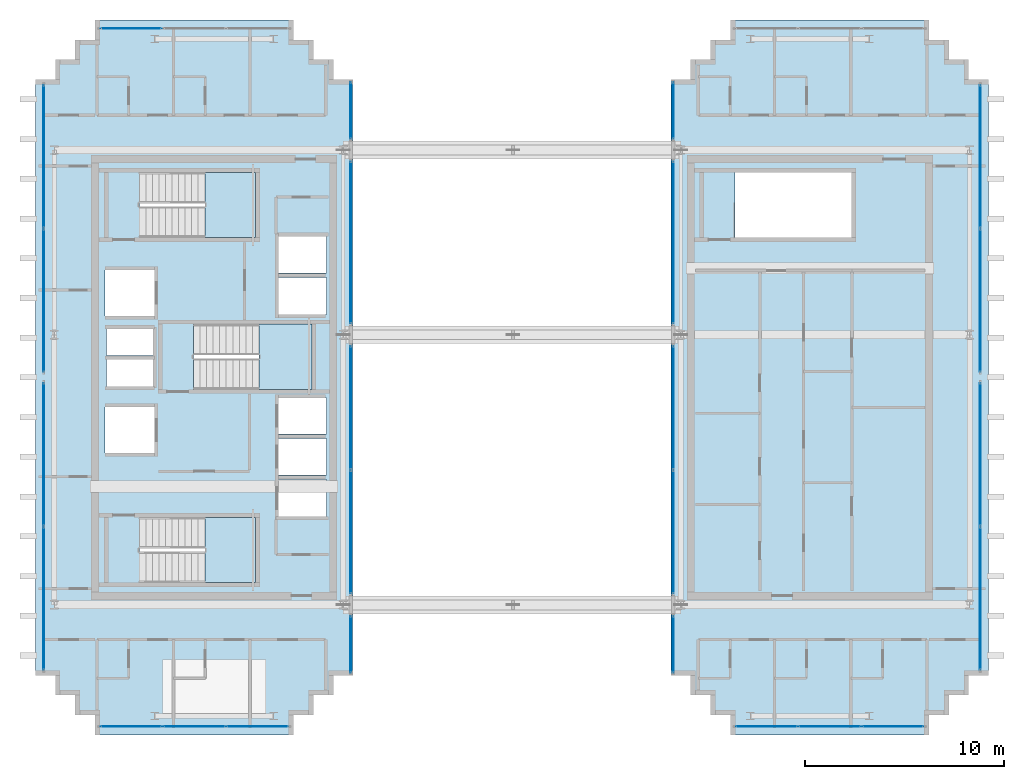
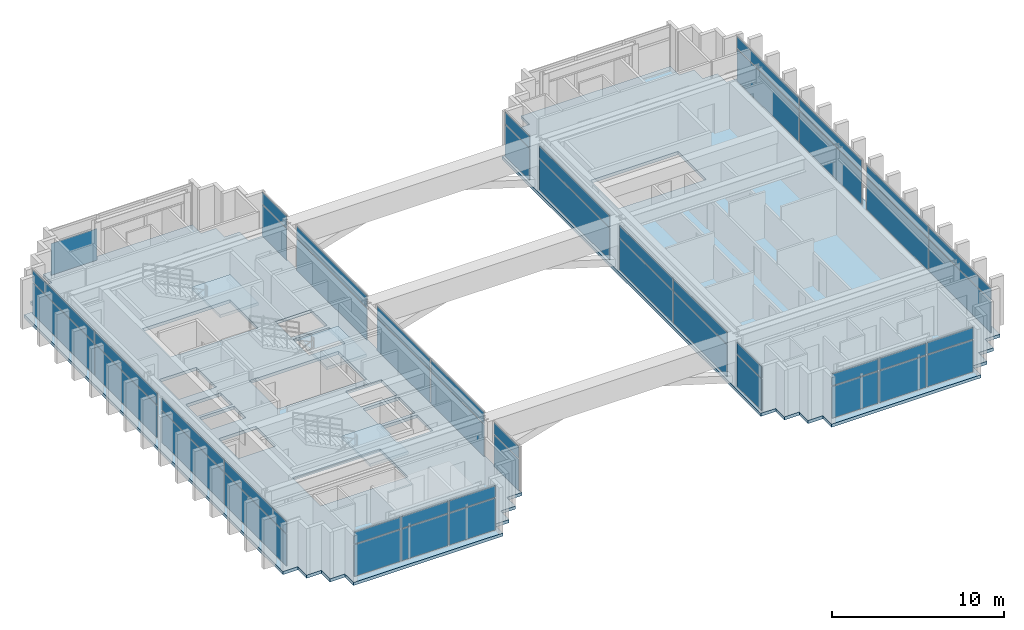
# One storey, part 21 of 28: 49 plates, 5 slabs, 18 elements without a shape of their own.
"""IFC4 building model written with IfcOpenShell, lengths in metres."""

import ifcopenshell
import ifcopenshell.guid

model = None  # the IFC model being written
_history = None  # IfcOwnerHistory: only IFC2X3 demands one
_inside = {}  # id of a spatial element -> (the spatial element, [elements in it])
_under = {}  # id of a project, library or spatial element -> (it, [spatial elements below it])
_declared = {}  # id of a project -> (the project, [libraries it declares])
_typed = {}  # id of a type object -> (the type object, [elements of that type])
_made_of = {}  # id of a material, layer set ... -> (it, [elements and type objects made of it])


def new_model(schema):
    """Start an empty IFC model of exactly this schema.

    Asked for "IFC4X3", IfcOpenShell would pick the latest addendum, in which some entities
    have other attributes; the version numbers below select the first issue.
    IFC2X3 requires an IfcOwnerHistory on every rooted entity: one is made here for all.
    """
    global model, _history
    if schema == "IFC4X3":
        model = ifcopenshell.file(schema_version=(4, 3, 0, 0))
    else:
        model = ifcopenshell.file(schema=schema)
    _inside.clear()
    _under.clear()
    _declared.clear()
    _typed.clear()
    _made_of.clear()
    _history = None
    if model.schema == "IFC2X3":
        org = make("IfcOrganization", Name="unknown")
        user = make(
            "IfcPersonAndOrganization",
            ThePerson=make("IfcPerson", FamilyName="unknown"),
            TheOrganization=org,
        )
        app = make(
            "IfcApplication",
            ApplicationDeveloper=org,
            Version="unknown",
            ApplicationFullName="unknown",
            ApplicationIdentifier="unknown",
        )
        _history = make(
            "IfcOwnerHistory",
            OwningUser=user,
            OwningApplication=app,
            ChangeAction="ADDED",
            CreationDate=0,
        )
    return model


def make(cls, **values):
    """One entity of the class cls with the attributes given. An attribute that is None is left unset."""
    return model.create_entity(
        cls, **{name: value for name, value in values.items() if value is not None}
    )


def rooted(cls, **values):
    """An entity with a GlobalId (a new one), such as an element, a storey or a relation."""
    return make(cls, GlobalId=ifcopenshell.guid.new(), OwnerHistory=_history, **values)


def si_unit(unit_type, name, prefix=None):
    """IfcSIUnit, for example si_unit("LENGTHUNIT", "METRE", prefix="MILLI")."""
    return make("IfcSIUnit", UnitType=unit_type, Prefix=prefix, Name=name)


def assignment(units):
    """IfcUnitAssignment: the units of a project."""
    return None if units is None else make("IfcUnitAssignment", Units=units)


def point(xyz):
    """IfcCartesianPoint."""
    return None if xyz is None else make("IfcCartesianPoint", Coordinates=xyz)


def direction(xyz):
    """IfcDirection."""
    return None if xyz is None else make("IfcDirection", DirectionRatios=xyz)


def frame(location, z_axis=None, x_axis=None):
    """IfcAxis2Placement3D, a coordinate frame: its origin and axes. An axis left out is left unset."""
    return make(
        "IfcAxis2Placement3D",
        Location=point(location),
        Axis=direction(z_axis),
        RefDirection=direction(x_axis),
    )


def frame_2d(location, x_axis=None):
    """IfcAxis2Placement2D, a coordinate frame in the plane: its origin and x axis."""
    return make(
        "IfcAxis2Placement2D", Location=point(location), RefDirection=direction(x_axis)
    )


def origin():
    """The frame at (0, 0, 0) with its axes left unset."""
    return frame((0.0, 0.0, 0.0))


def origin_2d():
    """The frame at (0, 0) in the plane with its x axis left unset."""
    return frame_2d((0.0, 0.0))


def place(relative_to, where):
    """IfcLocalPlacement: puts the frame where relative to a parent placement (None: the world)."""
    return make(
        "IfcLocalPlacement", PlacementRelTo=relative_to, RelativePlacement=where
    )


def context(
    kind, dimensions, precision=None, world=None, true_north=None, identifier=None
):
    """IfcGeometricRepresentationContext, for example the 3D "Model" context."""
    return make(
        "IfcGeometricRepresentationContext",
        ContextIdentifier=identifier,
        ContextType=kind,
        CoordinateSpaceDimension=dimensions,
        Precision=precision,
        WorldCoordinateSystem=world,
        TrueNorth=true_north,
    )


def subcontext(parent, identifier, kind, view, scale=None):
    """IfcGeometricRepresentationSubContext, for example "Body" below "Model"."""
    return make(
        "IfcGeometricRepresentationSubContext",
        ContextIdentifier=identifier,
        ContextType=kind,
        ParentContext=parent,
        TargetScale=scale,
        TargetView=view,
    )


def project(units=None, contexts=None):
    """IfcProject with its units and contexts."""
    return rooted(
        "IfcProject",
        Name="project",
        RepresentationContexts=contexts,
        UnitsInContext=assignment(units),
    )


def spatial(cls, under=None, at=None, **own):
    """A site, building, storey or space (cls), placed at a placement, below another one or the project."""
    s = rooted(cls, ObjectPlacement=at, **own)
    if under is not None:
        _under.setdefault(under.id(), (under, []))[1].append(s)
    return s


def polyline(points):
    """IfcPolyline through the points."""
    return make("IfcPolyline", Points=[point(p) for p in points])


def profile(cls, at=None, kind="AREA", **sizes):
    """A parametric profile (cls). Its sizes go by their IFC names, for example OverallWidth=200.0."""
    return make(cls, ProfileType=kind, Position=at, **sizes)


def rectangle(**sizes):
    """IfcRectangleProfileDef."""
    return profile("IfcRectangleProfileDef", **sizes)


def outline(outer, holes=None, kind="AREA"):
    """IfcArbitraryClosedProfileDef: a profile drawn as a closed curve; with holes, ...WithVoids."""
    if holes is None:
        return make("IfcArbitraryClosedProfileDef", ProfileType=kind, OuterCurve=outer)
    return make(
        "IfcArbitraryProfileDefWithVoids",
        ProfileType=kind,
        OuterCurve=outer,
        InnerCurves=holes,
    )


def extrude(swept, where, along, depth):
    """IfcExtrudedAreaSolid: the profile swept, set in the frame where, extruded along a direction by depth."""
    return make(
        "IfcExtrudedAreaSolid",
        SweptArea=swept,
        Position=where,
        ExtrudedDirection=direction(along),
        Depth=depth,
    )


def shape(context_of_items, identifier, shape_type, items):
    """IfcShapeRepresentation: the items that make up one representation, for example the "Body"."""
    return make(
        "IfcShapeRepresentation",
        ContextOfItems=context_of_items,
        RepresentationIdentifier=identifier,
        RepresentationType=shape_type,
        Items=items,
    )


def source(mapping_origin, context_of_items, identifier, shape_type, items):
    """IfcRepresentationMap: a shape defined once, which mapped items show again and again."""
    return make(
        "IfcRepresentationMap",
        MappingOrigin=mapping_origin,
        MappedRepresentation=shape(context_of_items, identifier, shape_type, items),
    )


def transform(
    local_origin,
    x_axis=None,
    y_axis=None,
    z_axis=None,
    scale=None,
    scale2=None,
    scale3=None,
    uniform=True,
):
    """IfcCartesianTransformationOperator3D, or its non-uniform kind. x_axis, y_axis, z_axis: its Axis1, 2, 3."""
    if uniform:
        return make(
            "IfcCartesianTransformationOperator3D",
            Axis1=direction(x_axis),
            Axis2=direction(y_axis),
            LocalOrigin=point(local_origin),
            Scale=scale,
            Axis3=direction(z_axis),
        )
    return make(
        "IfcCartesianTransformationOperator3DnonUniform",
        Axis1=direction(x_axis),
        Axis2=direction(y_axis),
        LocalOrigin=point(local_origin),
        Scale=scale,
        Axis3=direction(z_axis),
        Scale2=scale2,
        Scale3=scale3,
    )


def mapped(mapping_source, mapping_target):
    """IfcMappedItem: shows the shape of a source again, moved by a transform."""
    return make(
        "IfcMappedItem", MappingSource=mapping_source, MappingTarget=mapping_target
    )


def material(Name=None, Category=None):
    """IfcMaterial."""
    return make("IfcMaterial", Name=Name, Category=Category)


def layer(
    of_material, thickness, ventilated=None, Name=None, Category=None, Priority=None
):
    """IfcMaterialLayer: one layer of a wall or slab, of a material (None: an air gap)."""
    return make(
        "IfcMaterialLayer",
        Material=of_material,
        LayerThickness=thickness,
        IsVentilated=ventilated,
        Name=Name,
        Category=Category,
        Priority=Priority,
    )


def layer_set(layers, Name=None):
    """IfcMaterialLayerSet."""
    return make("IfcMaterialLayerSet", MaterialLayers=layers, LayerSetName=Name)


def made_of(thing, what):
    """Note that an element or type object is made of a material, layer set ...; save() writes the relation."""
    if what is not None:
        _made_of.setdefault(what.id(), (what, []))[1].append(thing)
    return thing


def type_object(cls, material=None, **own):
    """A type object (cls), such as IfcWallType, which elements share."""
    return made_of(rooted(cls, **own), material)


def element(
    cls,
    number,
    at=None,
    inside=None,
    cuts=None,
    type_object=None,
    material=None,
    context=None,
    identifier="Body",
    shape_type=None,
    held_by="IfcProductDefinitionShape",
    body=None,
    shapes=None,
    **own,
):
    """One element of the class cls, such as IfcWall. Its Tag is "e" and its number.

    at: its placement. inside: the storey or other place that contains it. cuts: it is an
    opening in that element (IfcRelVoidsElement). A single representation is given by context,
    identifier, shape_type and body (its items); several are given by shapes. held_by: the class
    of the entity that holds the representations. save() writes the other relations.
    """
    e = rooted(cls, Tag="e%d" % number, ObjectPlacement=at, **own)
    if body is not None:
        shapes = [shape(context, identifier, shape_type, body)]
    if shapes is not None:
        e.Representation = make(held_by, Representations=shapes)
    if inside is not None:
        _inside.setdefault(inside.id(), (inside, []))[1].append(e)
    if cuts is not None:
        rooted(
            "IfcRelVoidsElement", RelatingBuildingElement=cuts, RelatedOpeningElement=e
        )
    if type_object is not None:
        _typed.setdefault(type_object.id(), (type_object, []))[1].append(e)
    return made_of(e, material)


def aggregate(whole, parts):
    """IfcRelAggregates: a whole, such as a stair, and the parts it consists of."""
    return rooted("IfcRelAggregates", RelatingObject=whole, RelatedObjects=parts)


def save(model, path):
    """Write the relations noted so far, then the file.

    IfcRelAggregates (storeys below a building ...), IfcRelContainedInSpatialStructure (elements
    in a storey), IfcRelDefinesByType, IfcRelAssociatesMaterial and IfcRelDeclares: one each for
    every whole, place, type object, material and project.
    """
    for whole, parts in _under.values():
        aggregate(whole, parts)
    for where, things in _inside.values():
        rooted(
            "IfcRelContainedInSpatialStructure",
            RelatedElements=things,
            RelatingStructure=where,
        )
    for kind, things in _typed.values():
        rooted("IfcRelDefinesByType", RelatedObjects=things, RelatingType=kind)
    for what, things in _made_of.values():
        rooted("IfcRelAssociatesMaterial", RelatedObjects=things, RelatingMaterial=what)
    for by, libraries in _declared.values():
        rooted("IfcRelDeclares", RelatingContext=by, RelatedDefinitions=libraries)
    model.write(path)


model = new_model("IFC4")

# Units and contexts
model_context = context("Model", 3, precision=1e-05, world=origin(), true_north=direction((0.0, 1.0)))
body_context = subcontext(model_context, "Body", "Model", "MODEL_VIEW")
ifc_project = project(units=[si_unit("LENGTHUNIT", "METRE"), si_unit("AREAUNIT", "SQUARE_METRE"), si_unit("VOLUMEUNIT", "CUBIC_METRE"), si_unit("PLANEANGLEUNIT", "RADIAN"), si_unit("MASSUNIT", "GRAM", prefix="KILO")], contexts=[model_context])

# Site, building, storey
site_placement = place(None, origin())
site = spatial("IfcSite", under=ifc_project, at=site_placement, CompositionType="ELEMENT")
building_placement = place(site_placement, origin())
building = spatial("IfcBuilding", under=site, at=building_placement, Name="Ocotamira Hotel", CompositionType="ELEMENT")
storey_placement = place(building_placement, frame((0.0, 0.0, 268.800048828125)))
storey = spatial("IfcBuildingStorey", under=building, at=storey_placement, Name="L68", CompositionType="ELEMENT", Elevation=268.800048828125)

# Stair, slab
ifc_material_1 = material(Name="Concrete C40/50", Category="concrete")
stair_type = type_object("IfcStairType", Name="ST-CORE-1560", PredefinedType="HALF_TURN_STAIR", material=ifc_material_1)
stair_1_placement = place(storey_placement, origin())
stair_1 = element("IfcStair", 1, at=stair_1_placement, inside=storey, type_object=stair_type, Name="L68 Exit Stair ST-1", PredefinedType="HALF_TURN_STAIR")
ifc_layer_1 = layer(ifc_material_1, 0.199951171875)
ifc_layer_set_1 = layer_set([ifc_layer_1], Name="Concrete C40/50")
slab_type_1 = type_object("IfcSlabType", Name="SLB-LAND-200", PredefinedType="LANDING", material=ifc_layer_set_1)
slab_1_placement = place(storey_placement, frame((0.0, 0.0, 1.599853515625)))
slab_1 = element("IfcSlab", 2, at=slab_1_placement, type_object=slab_type_1, Name="ST-1 landing 1", PredefinedType="LANDING", context=body_context, shape_type="SweptSolid", body=[
    extrude(outline(polyline([(16.530029296875, 15.669921875), (19.090087890625, 15.669921875), (19.090087890625, 18.949951171875), (16.530029296875, 18.949951171875), (16.530029296875, 15.669921875)])), origin(), (0.0, 0.0, 1.0), 0.2001953125),
])
aggregate(stair_1, [slab_1])

stair_2_placement = place(storey_placement, origin())
stair_2 = element("IfcStair", 3, at=stair_2_placement, inside=storey, type_object=stair_type, Name="L68 Exit Stair ST-2", PredefinedType="HALF_TURN_STAIR")
slab_2_placement = place(storey_placement, frame((0.0, 0.0, 1.599853515625)))
slab_2 = element("IfcSlab", 4, at=slab_2_placement, type_object=slab_type_1, Name="ST-2 landing 1", PredefinedType="LANDING", context=body_context, shape_type="SweptSolid", body=[
    extrude(outline(polyline([(16.530029296875, 33.050048828125), (19.090087890625, 33.050048828125), (19.090087890625, 36.330078125), (16.530029296875, 36.330078125), (16.530029296875, 33.050048828125)])), origin(), (0.0, 0.0, 1.0), 0.2001953125),
])
aggregate(stair_2, [slab_2])

stair_3_placement = place(storey_placement, origin())
stair_3 = element("IfcStair", 5, at=stair_3_placement, inside=storey, type_object=stair_type, Name="L68 Exit Stair ST-3", PredefinedType="HALF_TURN_STAIR")
slab_3_placement = place(storey_placement, frame((0.0, 0.0, 1.599853515625)))
slab_3 = element("IfcSlab", 6, at=slab_3_placement, type_object=slab_type_1, Name="ST-3 landing 1", PredefinedType="LANDING", context=body_context, shape_type="SweptSolid", body=[
    extrude(outline(polyline([(19.260009765625, 25.39990234375), (21.919921875, 25.39990234375), (21.919921875, 28.679931640625), (19.260009765625, 28.679931640625), (19.260009765625, 25.39990234375)])), origin(), (0.0, 0.0, 1.0), 0.2001953125),
])
aggregate(stair_3, [slab_3])

# Slabs
ifc_layer_2 = layer(ifc_material_1, 0.219970703125)
ifc_layer_set_2 = layer_set([ifc_layer_2], Name="Concrete C40/50")
slab_type_2 = type_object("IfcSlabType", Name="SLB-UPP-220", PredefinedType="FLOOR", material=ifc_layer_set_2)
slab_4_placement = place(storey_placement, frame((0.0, 0.0, -0.219970703125)))
element("IfcSlab", 7, at=slab_4_placement, inside=storey, type_object=slab_type_2, Name="L68 Structural Floor Slab-P1", PredefinedType="FLOOR", context=body_context, shape_type="SweptSolid", body=[
    extrude(outline(polyline([(11.0, 8.0), (21.0, 8.0), (21.0, 9.0), (22.0, 9.0), (22.0, 10.0), (23.0, 10.0), (23.0, 11.0), (24.0, 11.0), (24.0, 41.0), (23.0, 41.0), (23.0, 42.0), (22.0, 42.0), (22.0, 43.0), (21.0, 43.0), (21.0, 44.0), (11.0, 44.0), (11.0, 43.0), (10.0, 43.0), (10.0, 42.0), (9.0, 42.0), (9.0, 41.0), (8.0, 41.0), (8.0, 11.0), (9.0, 11.0), (9.0, 10.0), (10.0, 10.0), (10.0, 9.0), (11.0, 9.0), (11.0, 8.0)]), holes=[polyline([(13.22998046875, 15.669921875), (19.090087890625, 15.669921875), (19.090087890625, 18.949951171875), (13.22998046875, 18.949951171875), (13.22998046875, 15.669921875)]), polyline([(13.22998046875, 33.050048828125), (19.090087890625, 33.050048828125), (19.090087890625, 36.330078125), (13.22998046875, 36.330078125), (13.22998046875, 33.050048828125)]), polyline([(15.9599609375, 25.39990234375), (21.919921875, 25.39990234375), (21.919921875, 28.679931640625), (15.9599609375, 28.679931640625), (15.9599609375, 25.39990234375)]), polyline([(20.25, 19.0), (22.659912109375, 19.0), (22.659912109375, 20.85009765625), (20.25, 20.85009765625), (20.25, 19.0)]), polyline([(20.25, 21.080078125), (22.659912109375, 21.080078125), (22.659912109375, 22.929931640625), (20.25, 22.929931640625), (20.25, 21.080078125)]), polyline([(20.25, 23.159912109375), (22.659912109375, 23.159912109375), (22.659912109375, 24.9599609375), (20.25, 24.9599609375), (20.25, 23.159912109375)]), polyline([(20.25, 29.179931640625), (22.659912109375, 29.179931640625), (22.659912109375, 31.030029296875), (20.25, 31.030029296875), (20.25, 29.179931640625)]), polyline([(20.25, 31.260009765625), (22.659912109375, 31.260009765625), (22.659912109375, 33.110107421875), (20.25, 33.110107421875), (20.25, 31.260009765625)]), polyline([(11.5, 22.199951171875), (14.0, 22.199951171875), (14.0, 24.5), (11.5, 24.5), (11.5, 22.199951171875)]), polyline([(11.5, 29.10009765625), (14.0, 29.10009765625), (14.0, 31.39990234375), (11.5, 31.39990234375), (11.5, 29.10009765625)]), polyline([(11.580078125, 25.550048828125), (13.919921875, 25.550048828125), (13.919921875, 26.89990234375), (11.580078125, 26.89990234375), (11.580078125, 25.550048828125)]), polyline([(11.580078125, 27.10009765625), (13.919921875, 27.10009765625), (13.919921875, 28.449951171875), (11.580078125, 28.449951171875), (11.580078125, 27.10009765625)])]), origin(), (0.0, 0.0, 1.0), 0.219970703125),
])
slab_5_placement = place(storey_placement, frame((0.0, 0.0, -0.219970703125)))
element("IfcSlab", 8, at=slab_5_placement, inside=storey, type_object=slab_type_2, Name="L68 Structural Floor Slab-P2", PredefinedType="FLOOR", context=body_context, shape_type="SweptSolid", body=[
    extrude(outline(polyline([(43.0, 8.0), (53.0, 8.0), (53.0, 9.0), (54.0, 9.0), (54.0, 10.0), (55.0, 10.0), (55.0, 11.0), (56.0, 11.0), (56.0, 41.0), (55.0, 41.0), (55.0, 42.0), (54.0, 42.0), (54.0, 43.0), (53.0, 43.0), (53.0, 44.0), (43.0, 44.0), (43.0, 43.0), (42.0, 43.0), (42.0, 42.0), (41.0, 42.0), (41.0, 41.0), (40.0, 41.0), (40.0, 11.0), (41.0, 11.0), (41.0, 10.0), (42.0, 10.0), (42.0, 9.0), (43.0, 9.0), (43.0, 8.0)]), holes=[polyline([(43.22998046875, 33.050048828125), (49.090087890625, 33.050048828125), (49.090087890625, 36.330078125), (43.22998046875, 36.330078125), (43.22998046875, 33.050048828125)])]), origin(), (0.0, 0.0, 1.0), 0.219970703125),
])

# Curtain wall, plates
ifc_material_2 = material(Name="Anodised pale-metal aluminium and solar glass", Category="aluminium")
ifc_layer_3 = layer(ifc_material_2, 0.2099609375)
ifc_layer_set_3 = layer_set([ifc_layer_3], Name="Anodised pale-metal aluminium and solar glass")
curtain_wall_type = type_object("IfcCurtainWallType", Name="CW-SYS7-PEAK", PredefinedType="NOTDEFINED", material=ifc_layer_set_3)
curtain_wall_1_placement = place(storey_placement, origin())
curtain_wall_1 = element("IfcCurtainWall", 9, at=curtain_wall_1_placement, inside=storey, type_object=curtain_wall_type, Name="L68 Curtain Wall CW-7 CW-L68-WS", PredefinedType="NOTDEFINED")
ifc_material_3 = material(Name="Double-silver low-E insulated solar glass", Category="glass")
ifc_layer_4 = layer(ifc_material_3, 0.031982421875)
ifc_layer_set_4 = layer_set([ifc_layer_4], Name="Double-silver low-E insulated solar glass")
plate_type = type_object("IfcPlateType", Name="CWP-VISION-32", PredefinedType="CURTAIN_PANEL", material=ifc_layer_set_4)
shared_shape_1 = source(origin(), body_context, "Body", "SweptSolid", [
    extrude(rectangle(XDim=3.080078125, YDim=0.031982421875, at=origin_2d()), origin(), (0.0, 0.0, 1.0), 2.237548828125),
])
plate_1_placement = place(storey_placement, frame((12.820068359375, 8.419921875, 0.07470703125), z_axis=(0.0, 0.0, 1.0), x_axis=(1.0, 0.0, 0.0)))
plate_1 = element("IfcPlate", 10, at=plate_1_placement, type_object=plate_type, Name="CW-7 panel 1.1", PredefinedType="CURTAIN_PANEL", context=body_context, shape_type="MappedRepresentation", body=[
    mapped(shared_shape_1, transform((0.0, 0.0, 0.0), scale=1.0)),
])
plate_2_placement = place(storey_placement, frame((19.179931640625, 8.419921875, 0.07470703125), z_axis=(0.0, 0.0, 1.0), x_axis=(1.0, 0.0, 0.0)))
plate_2 = element("IfcPlate", 11, at=plate_2_placement, type_object=plate_type, Name="CW-7 panel 3.1", PredefinedType="CURTAIN_PANEL", context=body_context, shape_type="MappedRepresentation", body=[
    mapped(shared_shape_1, transform((0.0, 0.0, 0.0), scale=1.0)),
])

# Curtain wall, plate
curtain_wall_2_placement = place(storey_placement, origin())
curtain_wall_2 = element("IfcCurtainWall", 12, at=curtain_wall_2_placement, inside=storey, type_object=curtain_wall_type, Name="L68 Curtain Wall CW-7 CW-L68-WN", PredefinedType="NOTDEFINED")
plate_3_placement = place(storey_placement, frame((12.820068359375, 43.580078125, 0.07470703125), z_axis=(0.0, 0.0, 1.0), x_axis=(1.0, 0.0, 0.0)))
plate_3 = element("IfcPlate", 13, at=plate_3_placement, type_object=plate_type, Name="CW-7 panel 1.1", PredefinedType="CURTAIN_PANEL", context=body_context, shape_type="MappedRepresentation", body=[
    mapped(shared_shape_1, transform((0.0, 0.0, 0.0), scale=1.0)),
])
aggregate(curtain_wall_2, [plate_3])

# Curtain wall, plates
curtain_wall_3_placement = place(storey_placement, origin())
curtain_wall_3 = element("IfcCurtainWall", 14, at=curtain_wall_3_placement, inside=storey, type_object=curtain_wall_type, Name="L68 Curtain Wall CW-7 CW-L68-ES", PredefinedType="NOTDEFINED")
plate_4_placement = place(storey_placement, frame((44.820068359375, 8.419921875, 0.07470703125), z_axis=(0.0, 0.0, 1.0), x_axis=(1.0, 0.0, 0.0)))
plate_4 = element("IfcPlate", 15, at=plate_4_placement, type_object=plate_type, Name="CW-7 panel 1.1", PredefinedType="CURTAIN_PANEL", context=body_context, shape_type="MappedRepresentation", body=[
    mapped(shared_shape_1, transform((0.0, 0.0, 0.0), scale=1.0)),
])
plate_5_placement = place(storey_placement, frame((51.179931640625, 8.419921875, 0.07470703125), z_axis=(0.0, 0.0, 1.0), x_axis=(1.0, 0.0, 0.0)))
plate_5 = element("IfcPlate", 16, at=plate_5_placement, type_object=plate_type, Name="CW-7 panel 3.1", PredefinedType="CURTAIN_PANEL", context=body_context, shape_type="MappedRepresentation", body=[
    mapped(shared_shape_1, transform((0.0, 0.0, 0.0), scale=1.0)),
])

# Plate
shared_shape_2 = source(origin(), body_context, "Body", "SweptSolid", [
    extrude(rectangle(XDim=3.1201171875, YDim=0.031982421875, at=origin_2d()), origin(), (0.0, 0.0, 1.0), 2.237548828125),
])
plate_6_placement = place(storey_placement, frame((16.0, 8.419921875, 0.07470703125), z_axis=(0.0, 0.0, 1.0), x_axis=(1.0, 0.0, 0.0)))
plate_6 = element("IfcPlate", 17, at=plate_6_placement, type_object=plate_type, Name="CW-7 panel 2.1", PredefinedType="CURTAIN_PANEL", context=body_context, shape_type="MappedRepresentation", body=[
    mapped(shared_shape_2, transform((0.0, 0.0, 0.0), scale=1.0)),
])

plate_7_placement = place(storey_placement, frame((48.0, 8.419921875, 0.07470703125), z_axis=(0.0, 0.0, 1.0), x_axis=(1.0, 0.0, 0.0)))
plate_7 = element("IfcPlate", 18, at=plate_7_placement, type_object=plate_type, Name="CW-7 panel 2.1", PredefinedType="CURTAIN_PANEL", context=body_context, shape_type="MappedRepresentation", body=[
    mapped(shared_shape_2, transform((0.0, 0.0, 0.0), scale=1.0)),
])

# Curtain wall, plates
curtain_wall_4_placement = place(storey_placement, origin())
curtain_wall_4 = element("IfcCurtainWall", 19, at=curtain_wall_4_placement, inside=storey, type_object=curtain_wall_type, Name="L68 Curtain Wall CW-7 CW-L68-WO1", PredefinedType="NOTDEFINED")
shared_shape_3 = source(origin(), body_context, "Body", "SweptSolid", [
    extrude(rectangle(XDim=7.179931640625, YDim=0.031982421875, at=origin_2d()), origin(), (0.0, 0.0, 1.0), 2.237548828125),
])
plate_8_placement = place(storey_placement, frame((8.419921875, 14.8701171875, 0.07470703125), z_axis=(0.0, 0.0, 1.0), x_axis=(0.0, 1.0, 0.0)))
plate_8 = element("IfcPlate", 20, at=plate_8_placement, type_object=plate_type, Name="CW-7 panel 1.1", PredefinedType="CURTAIN_PANEL", context=body_context, shape_type="MappedRepresentation", body=[
    mapped(shared_shape_3, transform((0.0, 0.0, 0.0), scale=1.0)),
])
plate_9_placement = place(storey_placement, frame((8.419921875, 22.1298828125, 0.07470703125), z_axis=(0.0, 0.0, 1.0), x_axis=(0.0, 1.0, 0.0)))
plate_9 = element("IfcPlate", 21, at=plate_9_placement, type_object=plate_type, Name="CW-7 panel 2.1", PredefinedType="CURTAIN_PANEL", context=body_context, shape_type="MappedRepresentation", body=[
    mapped(shared_shape_3, transform((0.0, 0.0, 0.0), scale=1.0)),
])

curtain_wall_5_placement = place(storey_placement, origin())
curtain_wall_5 = element("IfcCurtainWall", 22, at=curtain_wall_5_placement, inside=storey, type_object=curtain_wall_type, Name="L68 Curtain Wall CW-7 CW-L68-WO2", PredefinedType="NOTDEFINED")
plate_10_placement = place(storey_placement, frame((8.419921875, 29.8701171875, 0.07470703125), z_axis=(0.0, 0.0, 1.0), x_axis=(0.0, 1.0, 0.0)))
plate_10 = element("IfcPlate", 23, at=plate_10_placement, type_object=plate_type, Name="CW-7 panel 1.1", PredefinedType="CURTAIN_PANEL", context=body_context, shape_type="MappedRepresentation", body=[
    mapped(shared_shape_3, transform((0.0, 0.0, 0.0), scale=1.0)),
])
plate_11_placement = place(storey_placement, frame((8.419921875, 37.1298828125, 0.07470703125), z_axis=(0.0, 0.0, 1.0), x_axis=(0.0, 1.0, 0.0)))
plate_11 = element("IfcPlate", 24, at=plate_11_placement, type_object=plate_type, Name="CW-7 panel 2.1", PredefinedType="CURTAIN_PANEL", context=body_context, shape_type="MappedRepresentation", body=[
    mapped(shared_shape_3, transform((0.0, 0.0, 0.0), scale=1.0)),
])

curtain_wall_6_placement = place(storey_placement, origin())
curtain_wall_6 = element("IfcCurtainWall", 25, at=curtain_wall_6_placement, inside=storey, type_object=curtain_wall_type, Name="L68 Curtain Wall CW-7 CW-L68-EO1", PredefinedType="NOTDEFINED")
plate_12_placement = place(storey_placement, frame((55.580078125, 14.8701171875, 0.07470703125), z_axis=(0.0, 0.0, 1.0), x_axis=(0.0, 1.0, 0.0)))
plate_12 = element("IfcPlate", 26, at=plate_12_placement, type_object=plate_type, Name="CW-7 panel 1.1", PredefinedType="CURTAIN_PANEL", context=body_context, shape_type="MappedRepresentation", body=[
    mapped(shared_shape_3, transform((0.0, 0.0, 0.0), scale=1.0)),
])
plate_13_placement = place(storey_placement, frame((55.580078125, 22.1298828125, 0.07470703125), z_axis=(0.0, 0.0, 1.0), x_axis=(0.0, 1.0, 0.0)))
plate_13 = element("IfcPlate", 27, at=plate_13_placement, type_object=plate_type, Name="CW-7 panel 2.1", PredefinedType="CURTAIN_PANEL", context=body_context, shape_type="MappedRepresentation", body=[
    mapped(shared_shape_3, transform((0.0, 0.0, 0.0), scale=1.0)),
])

curtain_wall_7_placement = place(storey_placement, origin())
curtain_wall_7 = element("IfcCurtainWall", 28, at=curtain_wall_7_placement, inside=storey, type_object=curtain_wall_type, Name="L68 Curtain Wall CW-7 CW-L68-EO2", PredefinedType="NOTDEFINED")
plate_14_placement = place(storey_placement, frame((55.580078125, 29.8701171875, 0.07470703125), z_axis=(0.0, 0.0, 1.0), x_axis=(0.0, 1.0, 0.0)))
plate_14 = element("IfcPlate", 29, at=plate_14_placement, type_object=plate_type, Name="CW-7 panel 1.1", PredefinedType="CURTAIN_PANEL", context=body_context, shape_type="MappedRepresentation", body=[
    mapped(shared_shape_3, transform((0.0, 0.0, 0.0), scale=1.0)),
])
plate_15_placement = place(storey_placement, frame((55.580078125, 37.1298828125, 0.07470703125), z_axis=(0.0, 0.0, 1.0), x_axis=(0.0, 1.0, 0.0)))
plate_15 = element("IfcPlate", 30, at=plate_15_placement, type_object=plate_type, Name="CW-7 panel 2.1", PredefinedType="CURTAIN_PANEL", context=body_context, shape_type="MappedRepresentation", body=[
    mapped(shared_shape_3, transform((0.0, 0.0, 0.0), scale=1.0)),
])

# Curtain wall, plate
curtain_wall_8_placement = place(storey_placement, origin())
curtain_wall_8 = element("IfcCurtainWall", 31, at=curtain_wall_8_placement, inside=storey, type_object=curtain_wall_type, Name="L68 Curtain Wall CW-7 CW-L68-WI1", PredefinedType="NOTDEFINED")
shared_shape_4 = source(origin(), body_context, "Body", "SweptSolid", [
    extrude(rectangle(XDim=2.840087890625, YDim=0.031982421875, at=origin_2d()), origin(), (0.0, 0.0, 1.0), 2.237548828125),
])
plate_16_placement = place(storey_placement, frame((23.8798828125, 12.550048828125, 0.07470703125), z_axis=(0.0, 0.0, 1.0), x_axis=(0.0, 1.0, 0.0)))
plate_16 = element("IfcPlate", 32, at=plate_16_placement, type_object=plate_type, Name="CW-7 panel 1.1", PredefinedType="CURTAIN_PANEL", context=body_context, shape_type="MappedRepresentation", body=[
    mapped(shared_shape_4, transform((0.0, 0.0, 0.0), scale=1.0)),
])

curtain_wall_9_placement = place(storey_placement, origin())
curtain_wall_9 = element("IfcCurtainWall", 33, at=curtain_wall_9_placement, inside=storey, type_object=curtain_wall_type, Name="L68 Curtain Wall CW-7 CW-L68-WI4", PredefinedType="NOTDEFINED")
plate_17_placement = place(storey_placement, frame((23.8798828125, 39.449951171875, 0.07470703125), z_axis=(0.0, 0.0, 1.0), x_axis=(0.0, 1.0, 0.0)))
plate_17 = element("IfcPlate", 34, at=plate_17_placement, type_object=plate_type, Name="CW-7 panel 1.1", PredefinedType="CURTAIN_PANEL", context=body_context, shape_type="MappedRepresentation", body=[
    mapped(shared_shape_4, transform((0.0, 0.0, 0.0), scale=1.0)),
])

curtain_wall_10_placement = place(storey_placement, origin())
curtain_wall_10 = element("IfcCurtainWall", 35, at=curtain_wall_10_placement, inside=storey, type_object=curtain_wall_type, Name="L68 Curtain Wall CW-7 CW-L68-EI1", PredefinedType="NOTDEFINED")
plate_18_placement = place(storey_placement, frame((40.1201171875, 12.550048828125, 0.07470703125), z_axis=(0.0, 0.0, 1.0), x_axis=(0.0, 1.0, 0.0)))
plate_18 = element("IfcPlate", 36, at=plate_18_placement, type_object=plate_type, Name="CW-7 panel 1.1", PredefinedType="CURTAIN_PANEL", context=body_context, shape_type="MappedRepresentation", body=[
    mapped(shared_shape_4, transform((0.0, 0.0, 0.0), scale=1.0)),
])

curtain_wall_11_placement = place(storey_placement, origin())
curtain_wall_11 = element("IfcCurtainWall", 37, at=curtain_wall_11_placement, inside=storey, type_object=curtain_wall_type, Name="L68 Curtain Wall CW-7 CW-L68-EI4", PredefinedType="NOTDEFINED")
plate_19_placement = place(storey_placement, frame((40.1201171875, 39.449951171875, 0.07470703125), z_axis=(0.0, 0.0, 1.0), x_axis=(0.0, 1.0, 0.0)))
plate_19 = element("IfcPlate", 38, at=plate_19_placement, type_object=plate_type, Name="CW-7 panel 1.1", PredefinedType="CURTAIN_PANEL", context=body_context, shape_type="MappedRepresentation", body=[
    mapped(shared_shape_4, transform((0.0, 0.0, 0.0), scale=1.0)),
])

# Curtain wall, plates
curtain_wall_12_placement = place(storey_placement, origin())
curtain_wall_12 = element("IfcCurtainWall", 39, at=curtain_wall_12_placement, inside=storey, type_object=curtain_wall_type, Name="L68 Curtain Wall CW-7 CW-L68-WI2", PredefinedType="NOTDEFINED")
shared_shape_5 = source(origin(), body_context, "Body", "SweptSolid", [
    extrude(rectangle(XDim=6.179931640625, YDim=0.031982421875, at=origin_2d()), origin(), (0.0, 0.0, 1.0), 2.237548828125),
])
plate_20_placement = place(storey_placement, frame((23.8798828125, 18.219970703125, 0.07470703125), z_axis=(0.0, 0.0, 1.0), x_axis=(0.0, 1.0, 0.0)))
plate_20 = element("IfcPlate", 40, at=plate_20_placement, type_object=plate_type, Name="CW-7 panel 1.1", PredefinedType="CURTAIN_PANEL", context=body_context, shape_type="MappedRepresentation", body=[
    mapped(shared_shape_5, transform((0.0, 0.0, 0.0), scale=1.0)),
])
plate_21_placement = place(storey_placement, frame((23.8798828125, 24.47998046875, 0.07470703125), z_axis=(0.0, 0.0, 1.0), x_axis=(0.0, 1.0, 0.0)))
plate_21 = element("IfcPlate", 41, at=plate_21_placement, type_object=plate_type, Name="CW-7 panel 2.1", PredefinedType="CURTAIN_PANEL", context=body_context, shape_type="MappedRepresentation", body=[
    mapped(shared_shape_5, transform((0.0, 0.0, 0.0), scale=1.0)),
])

curtain_wall_13_placement = place(storey_placement, origin())
curtain_wall_13 = element("IfcCurtainWall", 42, at=curtain_wall_13_placement, inside=storey, type_object=curtain_wall_type, Name="L68 Curtain Wall CW-7 CW-L68-EI2", PredefinedType="NOTDEFINED")
plate_22_placement = place(storey_placement, frame((40.1201171875, 18.219970703125, 0.07470703125), z_axis=(0.0, 0.0, 1.0), x_axis=(0.0, 1.0, 0.0)))
plate_22 = element("IfcPlate", 43, at=plate_22_placement, type_object=plate_type, Name="CW-7 panel 1.1", PredefinedType="CURTAIN_PANEL", context=body_context, shape_type="MappedRepresentation", body=[
    mapped(shared_shape_5, transform((0.0, 0.0, 0.0), scale=1.0)),
])
plate_23_placement = place(storey_placement, frame((40.1201171875, 24.47998046875, 0.07470703125), z_axis=(0.0, 0.0, 1.0), x_axis=(0.0, 1.0, 0.0)))
plate_23 = element("IfcPlate", 44, at=plate_23_placement, type_object=plate_type, Name="CW-7 panel 2.1", PredefinedType="CURTAIN_PANEL", context=body_context, shape_type="MappedRepresentation", body=[
    mapped(shared_shape_5, transform((0.0, 0.0, 0.0), scale=1.0)),
])

# Curtain wall, plate
curtain_wall_14_placement = place(storey_placement, origin())
curtain_wall_14 = element("IfcCurtainWall", 45, at=curtain_wall_14_placement, inside=storey, type_object=curtain_wall_type, Name="L68 Curtain Wall CW-7 CW-L68-WI3", PredefinedType="NOTDEFINED")
shared_shape_6 = source(origin(), body_context, "Body", "SweptSolid", [
    extrude(rectangle(XDim=8.139892578125, YDim=0.031982421875, at=origin_2d()), origin(), (0.0, 0.0, 1.0), 2.237548828125),
])
plate_24_placement = place(storey_placement, frame((23.8798828125, 32.800048828125, 0.07470703125), z_axis=(0.0, 0.0, 1.0), x_axis=(0.0, 1.0, 0.0)))
plate_24 = element("IfcPlate", 46, at=plate_24_placement, type_object=plate_type, Name="CW-7 panel 1.1", PredefinedType="CURTAIN_PANEL", context=body_context, shape_type="MappedRepresentation", body=[
    mapped(shared_shape_6, transform((0.0, 0.0, 0.0), scale=1.0)),
])

curtain_wall_15_placement = place(storey_placement, origin())
curtain_wall_15 = element("IfcCurtainWall", 47, at=curtain_wall_15_placement, inside=storey, type_object=curtain_wall_type, Name="L68 Curtain Wall CW-7 CW-L68-EI3", PredefinedType="NOTDEFINED")
plate_25_placement = place(storey_placement, frame((40.1201171875, 32.800048828125, 0.07470703125), z_axis=(0.0, 0.0, 1.0), x_axis=(0.0, 1.0, 0.0)))
plate_25 = element("IfcPlate", 48, at=plate_25_placement, type_object=plate_type, Name="CW-7 panel 1.1", PredefinedType="CURTAIN_PANEL", context=body_context, shape_type="MappedRepresentation", body=[
    mapped(shared_shape_6, transform((0.0, 0.0, 0.0), scale=1.0)),
])

# Plate
shared_shape_7 = source(origin(), body_context, "Body", "SweptSolid", [
    extrude(rectangle(XDim=3.080078125, YDim=0.031982421875, at=origin_2d()), origin(), (0.0, 0.0, 1.0), 0.8173828125),
])
plate_26_placement = place(storey_placement, frame((12.820068359375, 8.419921875, 2.387451171875), z_axis=(0.0, 0.0, 1.0), x_axis=(1.0, 0.0, 0.0)))
plate_26 = element("IfcPlate", 49, at=plate_26_placement, type_object=plate_type, Name="CW-7 panel 1.2", PredefinedType="CURTAIN_PANEL", context=body_context, shape_type="MappedRepresentation", body=[
    mapped(shared_shape_7, transform((0.0, 0.0, 0.0), scale=1.0)),
])

plate_27_placement = place(storey_placement, frame((19.179931640625, 8.419921875, 2.387451171875), z_axis=(0.0, 0.0, 1.0), x_axis=(1.0, 0.0, 0.0)))
plate_27 = element("IfcPlate", 50, at=plate_27_placement, type_object=plate_type, Name="CW-7 panel 3.2", PredefinedType="CURTAIN_PANEL", context=body_context, shape_type="MappedRepresentation", body=[
    mapped(shared_shape_7, transform((0.0, 0.0, 0.0), scale=1.0)),
])

plate_28_placement = place(storey_placement, frame((44.820068359375, 8.419921875, 2.387451171875), z_axis=(0.0, 0.0, 1.0), x_axis=(1.0, 0.0, 0.0)))
plate_28 = element("IfcPlate", 51, at=plate_28_placement, type_object=plate_type, Name="CW-7 panel 1.2", PredefinedType="CURTAIN_PANEL", context=body_context, shape_type="MappedRepresentation", body=[
    mapped(shared_shape_7, transform((0.0, 0.0, 0.0), scale=1.0)),
])

plate_29_placement = place(storey_placement, frame((51.179931640625, 8.419921875, 2.387451171875), z_axis=(0.0, 0.0, 1.0), x_axis=(1.0, 0.0, 0.0)))
plate_29 = element("IfcPlate", 52, at=plate_29_placement, type_object=plate_type, Name="CW-7 panel 3.2", PredefinedType="CURTAIN_PANEL", context=body_context, shape_type="MappedRepresentation", body=[
    mapped(shared_shape_7, transform((0.0, 0.0, 0.0), scale=1.0)),
])

shared_shape_8 = source(origin(), body_context, "Body", "SweptSolid", [
    extrude(rectangle(XDim=3.1201171875, YDim=0.031982421875, at=origin_2d()), origin(), (0.0, 0.0, 1.0), 0.8173828125),
])
plate_30_placement = place(storey_placement, frame((16.0, 8.419921875, 2.387451171875), z_axis=(0.0, 0.0, 1.0), x_axis=(1.0, 0.0, 0.0)))
plate_30 = element("IfcPlate", 53, at=plate_30_placement, type_object=plate_type, Name="CW-7 panel 2.2", PredefinedType="CURTAIN_PANEL", context=body_context, shape_type="MappedRepresentation", body=[
    mapped(shared_shape_8, transform((0.0, 0.0, 0.0), scale=1.0)),
])

aggregate(curtain_wall_1, [plate_1, plate_26, plate_6, plate_30, plate_2, plate_27])

plate_31_placement = place(storey_placement, frame((48.0, 8.419921875, 2.387451171875), z_axis=(0.0, 0.0, 1.0), x_axis=(1.0, 0.0, 0.0)))
plate_31 = element("IfcPlate", 54, at=plate_31_placement, type_object=plate_type, Name="CW-7 panel 2.2", PredefinedType="CURTAIN_PANEL", context=body_context, shape_type="MappedRepresentation", body=[
    mapped(shared_shape_8, transform((0.0, 0.0, 0.0), scale=1.0)),
])

aggregate(curtain_wall_3, [plate_4, plate_28, plate_7, plate_31, plate_5, plate_29])

shared_shape_9 = source(origin(), body_context, "Body", "SweptSolid", [
    extrude(rectangle(XDim=7.179931640625, YDim=0.031982421875, at=origin_2d()), origin(), (0.0, 0.0, 1.0), 0.8173828125),
])
plate_32_placement = place(storey_placement, frame((8.419921875, 14.8701171875, 2.387451171875), z_axis=(0.0, 0.0, 1.0), x_axis=(0.0, 1.0, 0.0)))
plate_32 = element("IfcPlate", 55, at=plate_32_placement, type_object=plate_type, Name="CW-7 panel 1.2", PredefinedType="CURTAIN_PANEL", context=body_context, shape_type="MappedRepresentation", body=[
    mapped(shared_shape_9, transform((0.0, 0.0, 0.0), scale=1.0)),
])

plate_33_placement = place(storey_placement, frame((8.419921875, 22.1298828125, 2.387451171875), z_axis=(0.0, 0.0, 1.0), x_axis=(0.0, 1.0, 0.0)))
plate_33 = element("IfcPlate", 56, at=plate_33_placement, type_object=plate_type, Name="CW-7 panel 2.2", PredefinedType="CURTAIN_PANEL", context=body_context, shape_type="MappedRepresentation", body=[
    mapped(shared_shape_9, transform((0.0, 0.0, 0.0), scale=1.0)),
])

aggregate(curtain_wall_4, [plate_8, plate_32, plate_9, plate_33])

plate_34_placement = place(storey_placement, frame((8.419921875, 29.8701171875, 2.387451171875), z_axis=(0.0, 0.0, 1.0), x_axis=(0.0, 1.0, 0.0)))
plate_34 = element("IfcPlate", 57, at=plate_34_placement, type_object=plate_type, Name="CW-7 panel 1.2", PredefinedType="CURTAIN_PANEL", context=body_context, shape_type="MappedRepresentation", body=[
    mapped(shared_shape_9, transform((0.0, 0.0, 0.0), scale=1.0)),
])

plate_35_placement = place(storey_placement, frame((8.419921875, 37.1298828125, 2.387451171875), z_axis=(0.0, 0.0, 1.0), x_axis=(0.0, 1.0, 0.0)))
plate_35 = element("IfcPlate", 58, at=plate_35_placement, type_object=plate_type, Name="CW-7 panel 2.2", PredefinedType="CURTAIN_PANEL", context=body_context, shape_type="MappedRepresentation", body=[
    mapped(shared_shape_9, transform((0.0, 0.0, 0.0), scale=1.0)),
])

aggregate(curtain_wall_5, [plate_10, plate_34, plate_11, plate_35])

plate_36_placement = place(storey_placement, frame((55.580078125, 14.8701171875, 2.387451171875), z_axis=(0.0, 0.0, 1.0), x_axis=(0.0, 1.0, 0.0)))
plate_36 = element("IfcPlate", 59, at=plate_36_placement, type_object=plate_type, Name="CW-7 panel 1.2", PredefinedType="CURTAIN_PANEL", context=body_context, shape_type="MappedRepresentation", body=[
    mapped(shared_shape_9, transform((0.0, 0.0, 0.0), scale=1.0)),
])

plate_37_placement = place(storey_placement, frame((55.580078125, 22.1298828125, 2.387451171875), z_axis=(0.0, 0.0, 1.0), x_axis=(0.0, 1.0, 0.0)))
plate_37 = element("IfcPlate", 60, at=plate_37_placement, type_object=plate_type, Name="CW-7 panel 2.2", PredefinedType="CURTAIN_PANEL", context=body_context, shape_type="MappedRepresentation", body=[
    mapped(shared_shape_9, transform((0.0, 0.0, 0.0), scale=1.0)),
])

aggregate(curtain_wall_6, [plate_12, plate_36, plate_13, plate_37])

plate_38_placement = place(storey_placement, frame((55.580078125, 29.8701171875, 2.387451171875), z_axis=(0.0, 0.0, 1.0), x_axis=(0.0, 1.0, 0.0)))
plate_38 = element("IfcPlate", 61, at=plate_38_placement, type_object=plate_type, Name="CW-7 panel 1.2", PredefinedType="CURTAIN_PANEL", context=body_context, shape_type="MappedRepresentation", body=[
    mapped(shared_shape_9, transform((0.0, 0.0, 0.0), scale=1.0)),
])

plate_39_placement = place(storey_placement, frame((55.580078125, 37.1298828125, 2.387451171875), z_axis=(0.0, 0.0, 1.0), x_axis=(0.0, 1.0, 0.0)))
plate_39 = element("IfcPlate", 62, at=plate_39_placement, type_object=plate_type, Name="CW-7 panel 2.2", PredefinedType="CURTAIN_PANEL", context=body_context, shape_type="MappedRepresentation", body=[
    mapped(shared_shape_9, transform((0.0, 0.0, 0.0), scale=1.0)),
])

aggregate(curtain_wall_7, [plate_14, plate_38, plate_15, plate_39])

shared_shape_10 = source(origin(), body_context, "Body", "SweptSolid", [
    extrude(rectangle(XDim=2.840087890625, YDim=0.031982421875, at=origin_2d()), origin(), (0.0, 0.0, 1.0), 0.8173828125),
])
plate_40_placement = place(storey_placement, frame((23.8798828125, 12.550048828125, 2.387451171875), z_axis=(0.0, 0.0, 1.0), x_axis=(0.0, 1.0, 0.0)))
plate_40 = element("IfcPlate", 63, at=plate_40_placement, type_object=plate_type, Name="CW-7 panel 1.2", PredefinedType="CURTAIN_PANEL", context=body_context, shape_type="MappedRepresentation", body=[
    mapped(shared_shape_10, transform((0.0, 0.0, 0.0), scale=1.0)),
])

aggregate(curtain_wall_8, [plate_16, plate_40])

plate_41_placement = place(storey_placement, frame((23.8798828125, 39.449951171875, 2.387451171875), z_axis=(0.0, 0.0, 1.0), x_axis=(0.0, 1.0, 0.0)))
plate_41 = element("IfcPlate", 64, at=plate_41_placement, type_object=plate_type, Name="CW-7 panel 1.2", PredefinedType="CURTAIN_PANEL", context=body_context, shape_type="MappedRepresentation", body=[
    mapped(shared_shape_10, transform((0.0, 0.0, 0.0), scale=1.0)),
])

aggregate(curtain_wall_9, [plate_17, plate_41])

plate_42_placement = place(storey_placement, frame((40.1201171875, 12.550048828125, 2.387451171875), z_axis=(0.0, 0.0, 1.0), x_axis=(0.0, 1.0, 0.0)))
plate_42 = element("IfcPlate", 65, at=plate_42_placement, type_object=plate_type, Name="CW-7 panel 1.2", PredefinedType="CURTAIN_PANEL", context=body_context, shape_type="MappedRepresentation", body=[
    mapped(shared_shape_10, transform((0.0, 0.0, 0.0), scale=1.0)),
])

aggregate(curtain_wall_10, [plate_18, plate_42])

plate_43_placement = place(storey_placement, frame((40.1201171875, 39.449951171875, 2.387451171875), z_axis=(0.0, 0.0, 1.0), x_axis=(0.0, 1.0, 0.0)))
plate_43 = element("IfcPlate", 66, at=plate_43_placement, type_object=plate_type, Name="CW-7 panel 1.2", PredefinedType="CURTAIN_PANEL", context=body_context, shape_type="MappedRepresentation", body=[
    mapped(shared_shape_10, transform((0.0, 0.0, 0.0), scale=1.0)),
])

aggregate(curtain_wall_11, [plate_19, plate_43])

shared_shape_11 = source(origin(), body_context, "Body", "SweptSolid", [
    extrude(rectangle(XDim=6.179931640625, YDim=0.031982421875, at=origin_2d()), origin(), (0.0, 0.0, 1.0), 0.8173828125),
])
plate_44_placement = place(storey_placement, frame((23.8798828125, 18.219970703125, 2.387451171875), z_axis=(0.0, 0.0, 1.0), x_axis=(0.0, 1.0, 0.0)))
plate_44 = element("IfcPlate", 67, at=plate_44_placement, type_object=plate_type, Name="CW-7 panel 1.2", PredefinedType="CURTAIN_PANEL", context=body_context, shape_type="MappedRepresentation", body=[
    mapped(shared_shape_11, transform((0.0, 0.0, 0.0), scale=1.0)),
])

plate_45_placement = place(storey_placement, frame((23.8798828125, 24.47998046875, 2.387451171875), z_axis=(0.0, 0.0, 1.0), x_axis=(0.0, 1.0, 0.0)))
plate_45 = element("IfcPlate", 68, at=plate_45_placement, type_object=plate_type, Name="CW-7 panel 2.2", PredefinedType="CURTAIN_PANEL", context=body_context, shape_type="MappedRepresentation", body=[
    mapped(shared_shape_11, transform((0.0, 0.0, 0.0), scale=1.0)),
])

aggregate(curtain_wall_12, [plate_20, plate_44, plate_21, plate_45])

plate_46_placement = place(storey_placement, frame((40.1201171875, 18.219970703125, 2.387451171875), z_axis=(0.0, 0.0, 1.0), x_axis=(0.0, 1.0, 0.0)))
plate_46 = element("IfcPlate", 69, at=plate_46_placement, type_object=plate_type, Name="CW-7 panel 1.2", PredefinedType="CURTAIN_PANEL", context=body_context, shape_type="MappedRepresentation", body=[
    mapped(shared_shape_11, transform((0.0, 0.0, 0.0), scale=1.0)),
])

plate_47_placement = place(storey_placement, frame((40.1201171875, 24.47998046875, 2.387451171875), z_axis=(0.0, 0.0, 1.0), x_axis=(0.0, 1.0, 0.0)))
plate_47 = element("IfcPlate", 70, at=plate_47_placement, type_object=plate_type, Name="CW-7 panel 2.2", PredefinedType="CURTAIN_PANEL", context=body_context, shape_type="MappedRepresentation", body=[
    mapped(shared_shape_11, transform((0.0, 0.0, 0.0), scale=1.0)),
])

aggregate(curtain_wall_13, [plate_22, plate_46, plate_23, plate_47])

shared_shape_12 = source(origin(), body_context, "Body", "SweptSolid", [
    extrude(rectangle(XDim=8.139892578125, YDim=0.031982421875, at=origin_2d()), origin(), (0.0, 0.0, 1.0), 0.8173828125),
])
plate_48_placement = place(storey_placement, frame((23.8798828125, 32.800048828125, 2.387451171875), z_axis=(0.0, 0.0, 1.0), x_axis=(0.0, 1.0, 0.0)))
plate_48 = element("IfcPlate", 71, at=plate_48_placement, type_object=plate_type, Name="CW-7 panel 1.2", PredefinedType="CURTAIN_PANEL", context=body_context, shape_type="MappedRepresentation", body=[
    mapped(shared_shape_12, transform((0.0, 0.0, 0.0), scale=1.0)),
])

aggregate(curtain_wall_14, [plate_24, plate_48])

plate_49_placement = place(storey_placement, frame((40.1201171875, 32.800048828125, 2.387451171875), z_axis=(0.0, 0.0, 1.0), x_axis=(0.0, 1.0, 0.0)))
plate_49 = element("IfcPlate", 72, at=plate_49_placement, type_object=plate_type, Name="CW-7 panel 1.2", PredefinedType="CURTAIN_PANEL", context=body_context, shape_type="MappedRepresentation", body=[
    mapped(shared_shape_12, transform((0.0, 0.0, 0.0), scale=1.0)),
])

aggregate(curtain_wall_15, [plate_25, plate_49])

save(model, "model.ifc")
